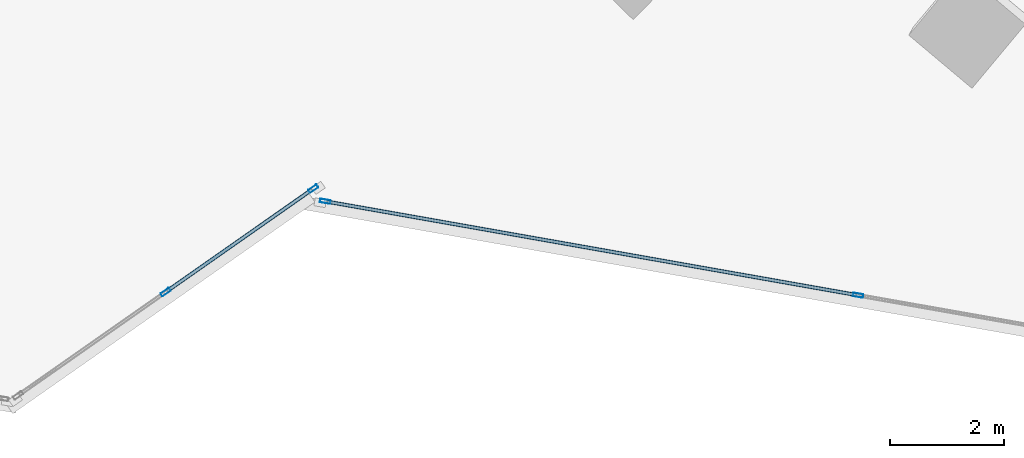
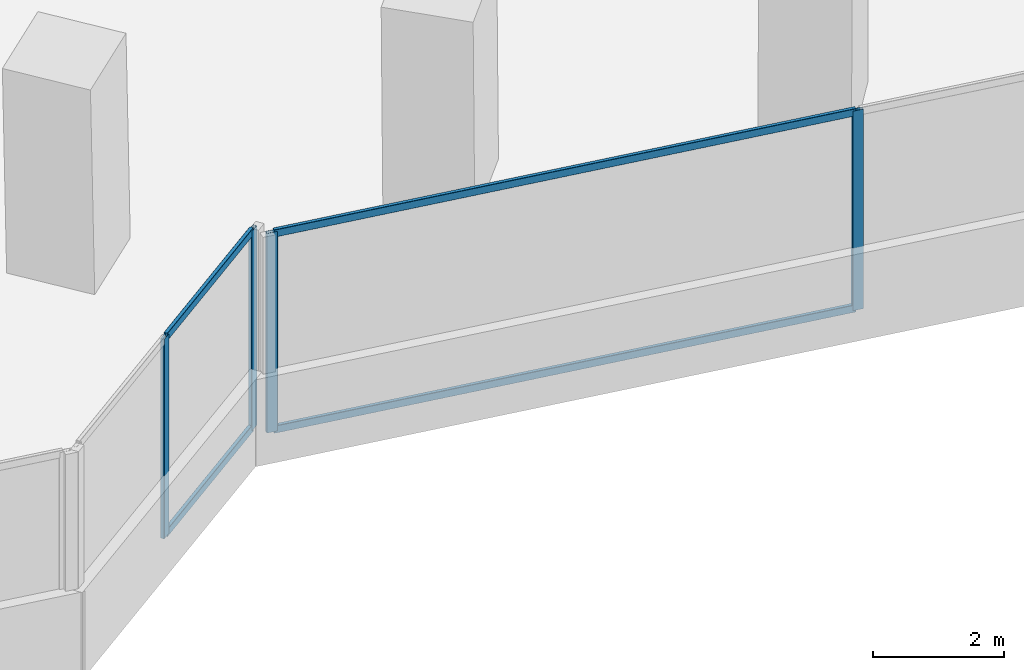
# One storey, part 7 of 24: 8 members, 2 elements without a shape of their own.
"""IFC4 building model written with IfcOpenShell, lengths in metres."""

from ifc_helpers import new_model, si_unit, direction, frame, origin, origin_2d, place, context, subcontext, project, spatial, hollow_rectangle, extrude, source, transform, mapped, material, material_profile, profile_set, type_object, element, aggregate, save


model = new_model("IFC4")

# Units and contexts
model_context = context("Model", 3, precision=1e-05, world=origin(), true_north=direction((0.0, 1.0)))
body_context = subcontext(model_context, "Body", "Model", "MODEL_VIEW")
ifc_project = project(units=[si_unit("LENGTHUNIT", "METRE"), si_unit("AREAUNIT", "SQUARE_METRE"), si_unit("VOLUMEUNIT", "CUBIC_METRE"), si_unit("PLANEANGLEUNIT", "RADIAN"), si_unit("MASSUNIT", "GRAM", prefix="KILO")], contexts=[model_context])

# Site, building, storey
site_placement = place(None, origin())
site = spatial("IfcSite", under=ifc_project, at=site_placement, CompositionType="ELEMENT")
building_placement = place(site_placement, origin())
building = spatial("IfcBuilding", under=site, at=building_placement, Name="Torre Montelarca", CompositionType="ELEMENT")
storey_placement = place(building_placement, frame((0.0, 0.0, 83.199951171875)))
storey = spatial("IfcBuildingStorey", under=building, at=storey_placement, Name="L18", CompositionType="ELEMENT", Elevation=83.199951171875)

# Curtain wall, members
ifc_material_1 = material(Name="Insulated low-E laminated glass", Category="glass")
curtain_wall_type = type_object("IfcCurtainWallType", Name="CW-SYS-Z1", PredefinedType="USERDEFINED", material=ifc_material_1)
curtain_wall_1_placement = place(storey_placement, origin())
curtain_wall_1 = element("IfcCurtainWall", 1, at=curtain_wall_1_placement, inside=storey, type_object=curtain_wall_type, Name="L18 Curtain Wall Run CW-T3-L18-E02-B1", ObjectType="UNITISED GLAZING", PredefinedType="USERDEFINED")
ifc_material_2 = material(Name="Anodised aluminium AA 6063-T6", Category="aluminium")
ifc_material_profile_1 = material_profile(ifc_material_2, hollow_rectangle(XDim=0.06494140625, YDim=0.139892578125, WallThickness=0.00390625, InnerFilletRadius=0.00390625, OuterFilletRadius=0.008056640625, at=origin_2d()), Name="ALU65X140X4", Category="aluminium")
ifc_profile_set_1 = profile_set([ifc_material_profile_1], Name="Anodised aluminium AA 6063-T6")
member_type_1 = type_object("IfcMemberType", Name="CWT-ALU140", PredefinedType="USERDEFINED", material=ifc_profile_set_1)
shared_shape_1 = source(origin(), body_context, "Body", "SweptSolid", [
    extrude(hollow_rectangle(XDim=0.06494140625, YDim=0.139892578125, WallThickness=0.00390625, InnerFilletRadius=0.00390625, OuterFilletRadius=0.008056640625, at=origin_2d()), origin(), (0.0, 0.0, 1.0), 3.1025390625),
])
member_1_placement = place(storey_placement, frame((31.783203125, 14.239501953125, 0.032470703125), z_axis=(0.819157977242, 0.573567963123, 0.0), x_axis=(-0.573567963123, 0.819157977242, 0.0)))
member_1 = element("IfcMember", 2, at=member_1_placement, type_object=member_type_1, Name="CW transom 2.1", ObjectType="TRANSOM", PredefinedType="USERDEFINED", context=body_context, shape_type="MappedRepresentation", body=[
    mapped(shared_shape_1, transform((0.0, 0.0, 0.0), scale=1.0)),
])
member_2_placement = place(storey_placement, frame((31.783203125, 14.239501953125, 3.6875), z_axis=(0.819157977242, 0.573567963123, 0.0), x_axis=(-0.573567963123, 0.819157977242, 0.0)))
member_2 = element("IfcMember", 3, at=member_2_placement, type_object=member_type_1, Name="CW transom 2.2", ObjectType="TRANSOM", PredefinedType="USERDEFINED", context=body_context, shape_type="MappedRepresentation", body=[
    mapped(shared_shape_1, transform((0.0, 0.0, 0.0), scale=1.0)),
])

curtain_wall_2_placement = place(storey_placement, origin())
curtain_wall_2 = element("IfcCurtainWall", 4, at=curtain_wall_2_placement, inside=storey, type_object=curtain_wall_type, Name="L18 Curtain Wall Run CW-T3-L18-E04-B1", ObjectType="UNITISED GLAZING", PredefinedType="USERDEFINED")
shared_shape_2 = source(origin(), body_context, "Body", "SweptSolid", [
    extrude(hollow_rectangle(XDim=0.06494140625, YDim=0.139892578125, WallThickness=0.00390625, InnerFilletRadius=0.00390625, OuterFilletRadius=0.008056640625, at=origin_2d()), origin(), (0.0, 0.0, 1.0), 9.448486328125),
])
member_3_placement = place(storey_placement, frame((34.5947265625, 15.81005859375, 0.032470703125), z_axis=(0.984809300493, -0.173639401236, 0.0), x_axis=(0.173639401236, 0.984809300493, 0.0)))
member_3 = element("IfcMember", 5, at=member_3_placement, type_object=member_type_1, Name="CW transom 1.1", ObjectType="TRANSOM", PredefinedType="USERDEFINED", context=body_context, shape_type="MappedRepresentation", body=[
    mapped(shared_shape_2, transform((0.0, 0.0, 0.0), scale=1.0)),
])
member_4_placement = place(storey_placement, frame((34.5947265625, 15.81005859375, 3.6875), z_axis=(0.984809300493, -0.173639401236, 0.0), x_axis=(0.173639401236, 0.984809300493, 0.0)))
member_4 = element("IfcMember", 6, at=member_4_placement, type_object=member_type_1, Name="CW transom 1.2", ObjectType="TRANSOM", PredefinedType="USERDEFINED", context=body_context, shape_type="MappedRepresentation", body=[
    mapped(shared_shape_2, transform((0.0, 0.0, 0.0), scale=1.0)),
])

# Member
ifc_material_profile_2 = material_profile(ifc_material_2, hollow_rectangle(XDim=0.06494140625, YDim=0.179931640625, WallThickness=0.00390625, InnerFilletRadius=0.00390625, OuterFilletRadius=0.008056640625, at=origin_2d()), Name="ALU65X180X4", Category="aluminium")
ifc_profile_set_2 = profile_set([ifc_material_profile_2], Name="Anodised aluminium AA 6063-T6")
member_type_2 = type_object("IfcMemberType", Name="CWM-ALU180", PredefinedType="MULLION", material=ifc_profile_set_2)
shared_shape_3 = source(origin(), body_context, "Body", "SweptSolid", [
    extrude(hollow_rectangle(XDim=0.06494140625, YDim=0.179931640625, WallThickness=0.00390625, InnerFilletRadius=0.00390625, OuterFilletRadius=0.008056640625, at=origin_2d()), origin(), (0.0, 0.0, 1.0), 3.719970703125),
])
member_5_placement = place(storey_placement, frame((31.756591796875, 14.220947265625, 0.0), z_axis=(0.0, 0.0, 1.0), x_axis=(-0.573560911072, 0.819162914987, 0.0)))
member_5 = element("IfcMember", 7, at=member_5_placement, type_object=member_type_2, Name="CW mullion 2", PredefinedType="MULLION", context=body_context, shape_type="MappedRepresentation", body=[
    mapped(shared_shape_3, transform((0.0, 0.0, 0.0), scale=1.0)),
])

member_6_placement = place(storey_placement, frame((34.351318359375, 16.03759765625, 0.0), z_axis=(0.0, 0.0, 1.0), x_axis=(-0.573560911072, 0.819162914987, 0.0)))
member_6 = element("IfcMember", 8, at=member_6_placement, type_object=member_type_2, Name="CW mullion 3", PredefinedType="MULLION", context=body_context, shape_type="MappedRepresentation", body=[
    mapped(shared_shape_3, transform((0.0, 0.0, 0.0), scale=1.0)),
])

aggregate(curtain_wall_1, [member_5, member_6, member_1, member_2])

member_7_placement = place(storey_placement, frame((34.5625, 15.815673828125, 0.0), z_axis=(0.0, 0.0, 1.0), x_axis=(0.173643103331, 0.984808647741, 0.0)))
member_7 = element("IfcMember", 9, at=member_7_placement, type_object=member_type_2, Name="CW mullion 1", PredefinedType="MULLION", context=body_context, shape_type="MappedRepresentation", body=[
    mapped(shared_shape_3, transform((0.0, 0.0, 0.0), scale=1.0)),
])

member_8_placement = place(storey_placement, frame((43.931640625, 14.163818359375, 0.0), z_axis=(0.0, 0.0, 1.0), x_axis=(0.173643103331, 0.984808647741, 0.0)))
member_8 = element("IfcMember", 10, at=member_8_placement, type_object=member_type_2, Name="CW mullion 2", PredefinedType="MULLION", context=body_context, shape_type="MappedRepresentation", body=[
    mapped(shared_shape_3, transform((0.0, 0.0, 0.0), scale=1.0)),
])

aggregate(curtain_wall_2, [member_7, member_8, member_3, member_4])

save(model, "model.ifc")
